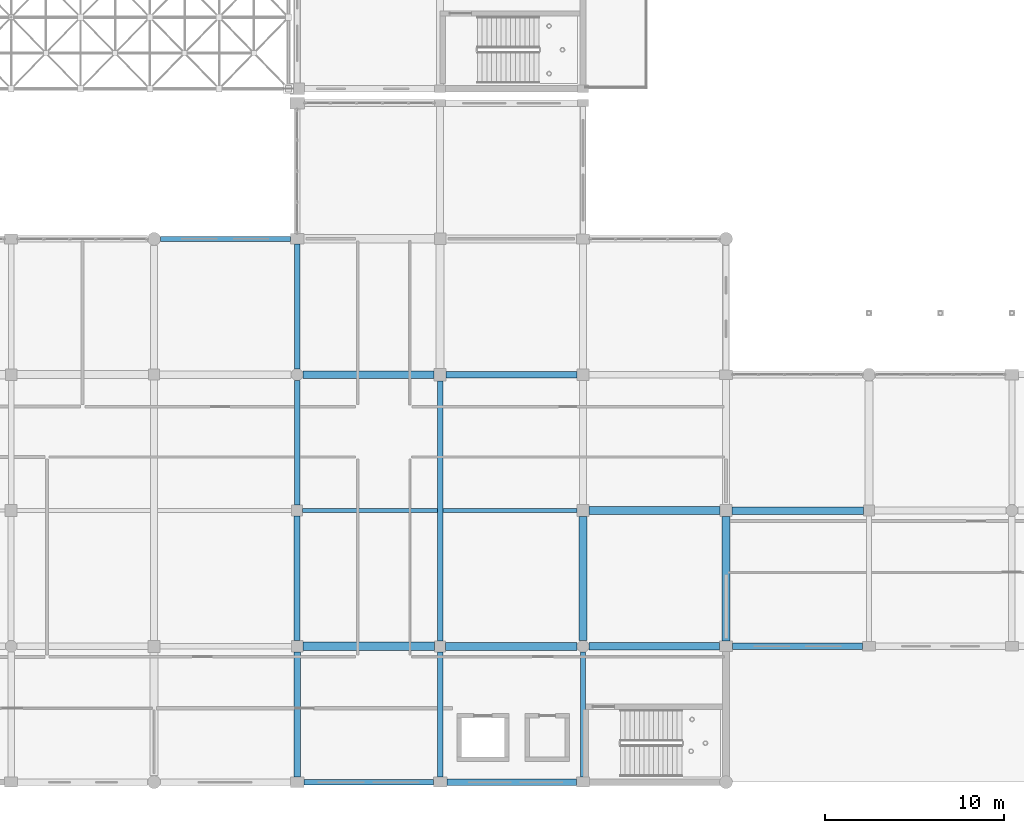
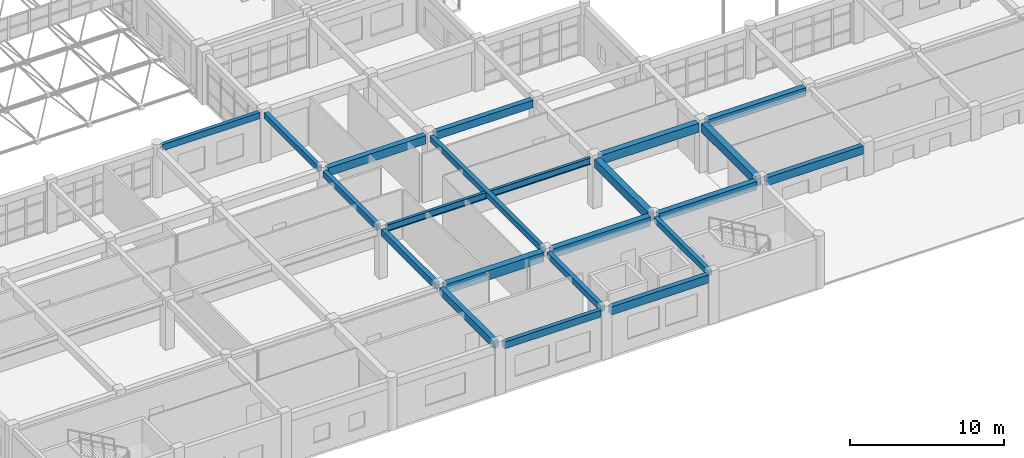
# One storey, part 41 of 195: 21 beams.
"""IFC4 building model written with IfcOpenShell, lengths in metres."""

from ifc_helpers import new_model, si_unit, direction, frame, origin, origin_2d, place, context, subcontext, project, spatial, rectangle, i_section, extrude, material, material_profile, profile_set, type_object, element, save


model = new_model("IFC4")

# Units and contexts
model_context = context("Model", 3, precision=1e-05, world=origin(), true_north=direction((0.0, 1.0)))
body_context = subcontext(model_context, "Body", "Model", "MODEL_VIEW")
ifc_project = project(units=[si_unit("LENGTHUNIT", "METRE"), si_unit("AREAUNIT", "SQUARE_METRE"), si_unit("VOLUMEUNIT", "CUBIC_METRE"), si_unit("PLANEANGLEUNIT", "RADIAN"), si_unit("MASSUNIT", "GRAM", prefix="KILO")], contexts=[model_context])

# Site, building, storey
site_placement = place(None, origin())
site = spatial("IfcSite", under=ifc_project, at=site_placement, CompositionType="ELEMENT")
building_placement = place(site_placement, origin())
building = spatial("IfcBuilding", under=site, at=building_placement, Name="Kharva Crest Polytechnic", CompositionType="ELEMENT")
storey_placement = place(building_placement, frame((0.0, 0.0, 9.0)))
storey = spatial("IfcBuildingStorey", under=building, at=storey_placement, Name="L02", CompositionType="ELEMENT", Elevation=9.0)

# Beams
ifc_material_1 = material(Name="Concrete C35/45", Category="concrete")
ifc_material_profile_1 = material_profile(ifc_material_1, rectangle(XDim=0.300048828125, YDim=0.449951171875, at=origin_2d()), Name="RECT 300 X 450")
ifc_profile_set_1 = profile_set([ifc_material_profile_1], Name="Concrete C35/45")
beam_type_1 = type_object("IfcBeamType", Name="BM-RC-300X450", PredefinedType="BEAM", material=ifc_profile_set_1)
beam_1_placement = place(storey_placement, frame((32.0, 23.1298828125, 3.695068359375), z_axis=(0.0, 1.0, 0.0), x_axis=(-1.0, 0.0, 0.0)))
element("IfcBeam", 1, at=beam_1_placement, inside=storey, type_object=beam_type_1, Name="L02 Girder 5/D-E", PredefinedType="BEAM", context=body_context, shape_type="SweptSolid", body=[
    extrude(rectangle(XDim=0.300048828125, YDim=0.449951171875, at=origin_2d()), origin(), (0.0, 0.0, 1.0), 6.97021484375),
])
beam_2_placement = place(storey_placement, frame((40.0, 7.909912109375, 3.695068359375), z_axis=(0.0, 1.0, 0.0), x_axis=(-1.0, 0.0, 0.0)))
element("IfcBeam", 2, at=beam_2_placement, inside=storey, type_object=beam_type_1, Name="L02 Girder 6/B-D", PredefinedType="BEAM", context=body_context, shape_type="SweptSolid", body=[
    extrude(rectangle(XDim=0.300048828125, YDim=0.449951171875, at=origin_2d()), origin(), (0.0, 0.0, 1.0), 14.550048828125),
])
beam_3_placement = place(storey_placement, frame((48.0, 0.27490234375, 3.695068359375), z_axis=(0.0, 1.0, 0.0), x_axis=(-1.0, 0.0, 0.0)))
element("IfcBeam", 3, at=beam_3_placement, inside=storey, type_object=beam_type_1, Name="L02 Girder 7/A-B", PredefinedType="BEAM", context=body_context, shape_type="SweptSolid", body=[
    extrude(rectangle(XDim=0.300048828125, YDim=0.449951171875, at=origin_2d()), origin(), (0.0, 0.0, 1.0), 6.9951171875),
])
ifc_material_profile_2 = material_profile(ifc_material_1, rectangle(XDim=0.300048828125, YDim=0.47998046875, at=origin_2d()), Name="RECT 300 X 480")
ifc_profile_set_2 = profile_set([ifc_material_profile_2], Name="Concrete C35/45")
beam_type_2 = type_object("IfcBeamType", Name="BM-RC-300X480", PredefinedType="BEAM", material=ifc_profile_set_2)
beam_4_placement = place(storey_placement, frame((32.0, 15.510009765625, 3.679931640625), z_axis=(0.0, 1.0, 0.0), x_axis=(-1.0, 0.0, 0.0)))
element("IfcBeam", 4, at=beam_4_placement, inside=storey, type_object=beam_type_2, Name="L02 Girder 5/C-D", PredefinedType="BEAM", context=body_context, shape_type="SweptSolid", body=[
    extrude(rectangle(XDim=0.300048828125, YDim=0.47998046875, at=origin_2d()), origin(), (0.0, 0.0, 1.0), 6.9599609375),
])
beam_5_placement = place(storey_placement, frame((40.0, 0.27490234375, 3.679931640625), z_axis=(0.0, 1.0, 0.0), x_axis=(-1.0, 0.0, 0.0)))
element("IfcBeam", 5, at=beam_5_placement, inside=storey, type_object=beam_type_2, Name="L02 Girder 6/A-B", PredefinedType="BEAM", context=body_context, shape_type="SweptSolid", body=[
    extrude(rectangle(XDim=0.300048828125, YDim=0.47998046875, at=origin_2d()), origin(), (0.0, 0.0, 1.0), 7.01513671875),
])
ifc_material_profile_3 = material_profile(ifc_material_1, rectangle(XDim=0.340087890625, YDim=0.52001953125, at=origin_2d()), Name="RECT 340 X 520")
ifc_profile_set_3 = profile_set([ifc_material_profile_3], Name="Concrete C35/45")
beam_type_3 = type_object("IfcBeamType", Name="BM-RC-340X520", PredefinedType="BEAM", material=ifc_profile_set_3)
beam_6_placement = place(storey_placement, frame((32.0, 7.925048828125, 3.659912109375), z_axis=(0.0, 1.0, 0.0), x_axis=(-1.0, 0.0, 0.0)))
element("IfcBeam", 6, at=beam_6_placement, inside=storey, type_object=beam_type_3, Name="L02 Girder 5/B-C", PredefinedType="BEAM", context=body_context, shape_type="SweptSolid", body=[
    extrude(rectangle(XDim=0.340087890625, YDim=0.52001953125, at=origin_2d()), origin(), (0.0, 0.0, 1.0), 6.96484375),
])
ifc_material_profile_4 = material_profile(ifc_material_1, rectangle(XDim=0.360107421875, YDim=0.580078125, at=origin_2d()), Name="RECT 360 X 580")
ifc_profile_set_4 = profile_set([ifc_material_profile_4], Name="Concrete C35/45")
beam_type_4 = type_object("IfcBeamType", Name="BM-RC-360X580", PredefinedType="BEAM", material=ifc_profile_set_4)
beam_7_placement = place(storey_placement, frame((32.0, 0.300048828125, 3.6298828125), z_axis=(0.0, 1.0, 0.0), x_axis=(-1.0, 0.0, 0.0)))
element("IfcBeam", 7, at=beam_7_placement, inside=storey, type_object=beam_type_4, Name="L02 Girder 5/A-B", PredefinedType="BEAM", context=body_context, shape_type="SweptSolid", body=[
    extrude(rectangle(XDim=0.360107421875, YDim=0.580078125, at=origin_2d()), origin(), (0.0, 0.0, 1.0), 6.974853515625),
])
ifc_material_profile_5 = material_profile(ifc_material_1, rectangle(XDim=0.3798828125, YDim=0.60009765625, at=origin_2d()), Name="RECT 380 X 600")
ifc_profile_set_5 = profile_set([ifc_material_profile_5], Name="Concrete C35/45")
beam_type_5 = type_object("IfcBeamType", Name="BM-RC-380X600", PredefinedType="BEAM", material=ifc_profile_set_5)
beam_8_placement = place(storey_placement, frame((40.340087890625, 22.800048828125, 3.6201171875), z_axis=(1.0, 0.0, 0.0), x_axis=(0.0, 1.0, 0.0)))
element("IfcBeam", 8, at=beam_8_placement, inside=storey, type_object=beam_type_5, Name="L02 Beam D/6-7", PredefinedType="BEAM", context=body_context, shape_type="SweptSolid", body=[
    extrude(rectangle(XDim=0.3798828125, YDim=0.60009765625, at=origin_2d()), origin(), (0.0, 0.0, 1.0), 7.3349609375),
])
ifc_material_profile_6 = material_profile(ifc_material_1, rectangle(XDim=0.39990234375, YDim=0.64990234375, at=origin_2d()), Name="RECT 400 X 650")
ifc_profile_set_6 = profile_set([ifc_material_profile_6], Name="Concrete C35/45")
beam_type_6 = type_object("IfcBeamType", Name="BM-RC-400X650", PredefinedType="BEAM", material=ifc_profile_set_6)
beam_9_placement = place(storey_placement, frame((32.330078125, 22.800048828125, 3.594970703125), z_axis=(1.0, 0.0, 0.0), x_axis=(0.0, 1.0, 0.0)))
element("IfcBeam", 9, at=beam_9_placement, inside=storey, type_object=beam_type_6, Name="L02 Beam D/5-6", PredefinedType="BEAM", context=body_context, shape_type="SweptSolid", body=[
    extrude(rectangle(XDim=0.39990234375, YDim=0.64990234375, at=origin_2d()), origin(), (0.0, 0.0, 1.0), 7.329833984375),
])
ifc_material_profile_7 = material_profile(ifc_material_1, rectangle(XDim=0.419921875, YDim=0.659912109375, at=origin_2d()), Name="RECT 420 X 660")
ifc_profile_set_7 = profile_set([ifc_material_profile_7], Name="Concrete C35/45")
beam_type_7 = type_object("IfcBeamType", Name="BM-RC-420X660", PredefinedType="BEAM", material=ifc_profile_set_7)
beam_10_placement = place(storey_placement, frame((48.330078125, 7.60009765625, 3.590087890625), z_axis=(1.0, 0.0, 0.0), x_axis=(0.0, 1.0, 0.0)))
element("IfcBeam", 10, at=beam_10_placement, inside=storey, type_object=beam_type_7, Name="L02 Beam B/7-8", PredefinedType="BEAM", context=body_context, shape_type="SweptSolid", body=[
    extrude(rectangle(XDim=0.419921875, YDim=0.659912109375, at=origin_2d()), origin(), (0.0, 0.0, 1.0), 7.294921875),
])
beam_11_placement = place(storey_placement, frame((56.324951171875, 15.199951171875, 3.590087890625), z_axis=(1.0, 0.0, 0.0), x_axis=(0.0, 1.0, 0.0)))
element("IfcBeam", 11, at=beam_11_placement, inside=storey, type_object=beam_type_7, Name="L02 Beam C/8-9", PredefinedType="BEAM", context=body_context, shape_type="SweptSolid", body=[
    extrude(rectangle(XDim=0.419921875, YDim=0.659912109375, at=origin_2d()), origin(), (0.0, 0.0, 1.0), 7.364990234375),
])
ifc_material_profile_8 = material_profile(ifc_material_1, rectangle(XDim=0.449951171875, YDim=0.679931640625, at=origin_2d()), Name="RECT 450 X 680")
ifc_profile_set_8 = profile_set([ifc_material_profile_8], Name="Concrete C35/45")
beam_type_8 = type_object("IfcBeamType", Name="BM-RC-450X680", PredefinedType="BEAM", material=ifc_profile_set_8)
beam_12_placement = place(storey_placement, frame((48.0, 7.929931640625, 3.580078125), z_axis=(0.0, 1.0, 0.0), x_axis=(-1.0, 0.0, 0.0)))
element("IfcBeam", 12, at=beam_12_placement, inside=storey, type_object=beam_type_8, Name="L02 Girder 7/B-C", PredefinedType="BEAM", context=body_context, shape_type="SweptSolid", body=[
    extrude(rectangle(XDim=0.449951171875, YDim=0.679931640625, at=origin_2d()), origin(), (0.0, 0.0, 1.0), 6.93017578125),
])
beam_13_placement = place(storey_placement, frame((56.0, 7.89990234375, 3.580078125), z_axis=(0.0, 1.0, 0.0), x_axis=(-1.0, 0.0, 0.0)))
element("IfcBeam", 13, at=beam_13_placement, inside=storey, type_object=beam_type_8, Name="L02 Girder 8/B-C", PredefinedType="BEAM", context=body_context, shape_type="SweptSolid", body=[
    extrude(rectangle(XDim=0.449951171875, YDim=0.679931640625, at=origin_2d()), origin(), (0.0, 0.0, 1.0), 6.97509765625),
])
ifc_material_profile_9 = material_profile(ifc_material_1, rectangle(XDim=0.449951171875, YDim=0.719970703125, at=origin_2d()), Name="RECT 450 X 720")
ifc_profile_set_9 = profile_set([ifc_material_profile_9], Name="Concrete C35/45")
beam_type_9 = type_object("IfcBeamType", Name="BM-RC-450X720", PredefinedType="BEAM", material=ifc_profile_set_9)
beam_14_placement = place(storey_placement, frame((40.31005859375, 7.60009765625, 3.56005859375), z_axis=(1.0, 0.0, 0.0), x_axis=(0.0, 1.0, 0.0)))
element("IfcBeam", 14, at=beam_14_placement, inside=storey, type_object=beam_type_9, Name="L02 Beam B/6-7", PredefinedType="BEAM", context=body_context, shape_type="SweptSolid", body=[
    extrude(rectangle(XDim=0.449951171875, YDim=0.719970703125, at=origin_2d()), origin(), (0.0, 0.0, 1.0), 7.35986328125),
])
beam_15_placement = place(storey_placement, frame((48.340087890625, 15.199951171875, 3.56005859375), z_axis=(1.0, 0.0, 0.0), x_axis=(0.0, 1.0, 0.0)))
element("IfcBeam", 15, at=beam_15_placement, inside=storey, type_object=beam_type_9, Name="L02 Beam C/7-8", PredefinedType="BEAM", context=body_context, shape_type="SweptSolid", body=[
    extrude(rectangle(XDim=0.449951171875, YDim=0.719970703125, at=origin_2d()), origin(), (0.0, 0.0, 1.0), 7.3349609375),
])
ifc_material_profile_10 = material_profile(ifc_material_1, rectangle(XDim=0.47998046875, YDim=0.75, at=origin_2d()), Name="RECT 480 X 750")
ifc_profile_set_10 = profile_set([ifc_material_profile_10], Name="Concrete C35/45")
beam_type_10 = type_object("IfcBeamType", Name="BM-RC-480X750", PredefinedType="BEAM", material=ifc_profile_set_10)
beam_16_placement = place(storey_placement, frame((32.324951171875, 7.60009765625, 3.544921875), z_axis=(1.0, 0.0, 0.0), x_axis=(0.0, 1.0, 0.0)))
element("IfcBeam", 16, at=beam_16_placement, inside=storey, type_object=beam_type_10, Name="L02 Beam B/5-6", PredefinedType="BEAM", context=body_context, shape_type="SweptSolid", body=[
    extrude(rectangle(XDim=0.47998046875, YDim=0.75, at=origin_2d()), origin(), (0.0, 0.0, 1.0), 7.364990234375),
])
ifc_material_2 = material(Name="Steel S355", Category="steel")
ifc_material_profile_11 = material_profile(ifc_material_2, i_section(OverallWidth=0.208984375, OverallDepth=0.532958984375, WebThickness=0.01025390625, FlangeThickness=0.015625, at=origin_2d()), Name="W530X92")
ifc_profile_set_11 = profile_set([ifc_material_profile_11], Name="Steel S355")
beam_type_11 = type_object("IfcBeamType", Name="BM-STL-W530X92", PredefinedType="BEAM", material=ifc_profile_set_11)
beam_17_placement = place(storey_placement, frame((32.31005859375, 15.199951171875, 3.653564453125), z_axis=(1.0, 0.0, 0.0), x_axis=(0.0, 1.0, 0.0)))
element("IfcBeam", 17, at=beam_17_placement, inside=storey, type_object=beam_type_11, Name="L02 Beam C/5-7", PredefinedType="BEAM", context=body_context, shape_type="SweptSolid", body=[
    extrude(i_section(OverallWidth=0.208984375, OverallDepth=0.532958984375, WebThickness=0.01025390625, FlangeThickness=0.015625, at=origin_2d()), origin(), (0.0, 0.0, 1.0), 15.349853515625),
])
ifc_material_profile_12 = material_profile(ifc_material_1, rectangle(XDim=0.280029296875, YDim=0.5, at=origin_2d()), Name="RECT 280 X 500")
ifc_profile_set_12 = profile_set([ifc_material_profile_12], Name="Concrete C35/45")
beam_type_12 = type_object("IfcBeamType", Name="SP-RC-280X500", PredefinedType="SPANDREL", material=ifc_profile_set_12)
beam_18_placement = place(storey_placement, frame((24.360107421875, 30.39990234375, 3.669921875), z_axis=(1.0, 0.0, 0.0), x_axis=(0.0, 1.0, 0.0)))
element("IfcBeam", 18, at=beam_18_placement, inside=storey, type_object=beam_type_12, Name="L02 Beam E/4-5", PredefinedType="SPANDREL", context=body_context, shape_type="SweptSolid", body=[
    extrude(rectangle(XDim=0.280029296875, YDim=0.5, at=origin_2d()), origin(), (0.0, 0.0, 1.0), 7.264892578125),
])
ifc_material_profile_13 = material_profile(ifc_material_1, rectangle(XDim=0.300048828125, YDim=0.550048828125, at=origin_2d()), Name="RECT 300 X 550")
ifc_profile_set_13 = profile_set([ifc_material_profile_13], Name="Concrete C35/45")
beam_type_13 = type_object("IfcBeamType", Name="SP-RC-300X550", PredefinedType="SPANDREL", material=ifc_profile_set_13)
beam_19_placement = place(storey_placement, frame((32.375, 0.0, 3.64501953125), z_axis=(1.0, 0.0, 0.0), x_axis=(0.0, 1.0, 0.0)))
element("IfcBeam", 19, at=beam_19_placement, inside=storey, type_object=beam_type_13, Name="L02 Beam A/5-6", PredefinedType="SPANDREL", context=body_context, shape_type="SweptSolid", body=[
    extrude(rectangle(XDim=0.300048828125, YDim=0.550048828125, at=origin_2d()), origin(), (0.0, 0.0, 1.0), 7.25),
])
ifc_material_profile_14 = material_profile(ifc_material_1, rectangle(XDim=0.360107421875, YDim=0.64990234375, at=origin_2d()), Name="RECT 360 X 650")
ifc_profile_set_14 = profile_set([ifc_material_profile_14], Name="Concrete C35/45")
beam_type_14 = type_object("IfcBeamType", Name="SP-RC-360X650", PredefinedType="SPANDREL", material=ifc_profile_set_14)
beam_20_placement = place(storey_placement, frame((40.375, 0.0, 3.594970703125), z_axis=(1.0, 0.0, 0.0), x_axis=(0.0, 1.0, 0.0)))
element("IfcBeam", 20, at=beam_20_placement, inside=storey, type_object=beam_type_14, Name="L02 Beam A/6-7", PredefinedType="SPANDREL", context=body_context, shape_type="SweptSolid", body=[
    extrude(rectangle(XDim=0.360107421875, YDim=0.64990234375, at=origin_2d()), origin(), (0.0, 0.0, 1.0), 7.264892578125),
])
beam_21_placement = place(storey_placement, frame((56.375, 7.60009765625, 3.594970703125), z_axis=(1.0, 0.0, 0.0), x_axis=(0.0, 1.0, 0.0)))
element("IfcBeam", 21, at=beam_21_placement, inside=storey, type_object=beam_type_14, Name="L02 Beam B/8-9", PredefinedType="SPANDREL", context=body_context, shape_type="SweptSolid", body=[
    extrude(rectangle(XDim=0.360107421875, YDim=0.64990234375, at=origin_2d()), origin(), (0.0, 0.0, 1.0), 7.25),
])

save(model, "model.ifc")
